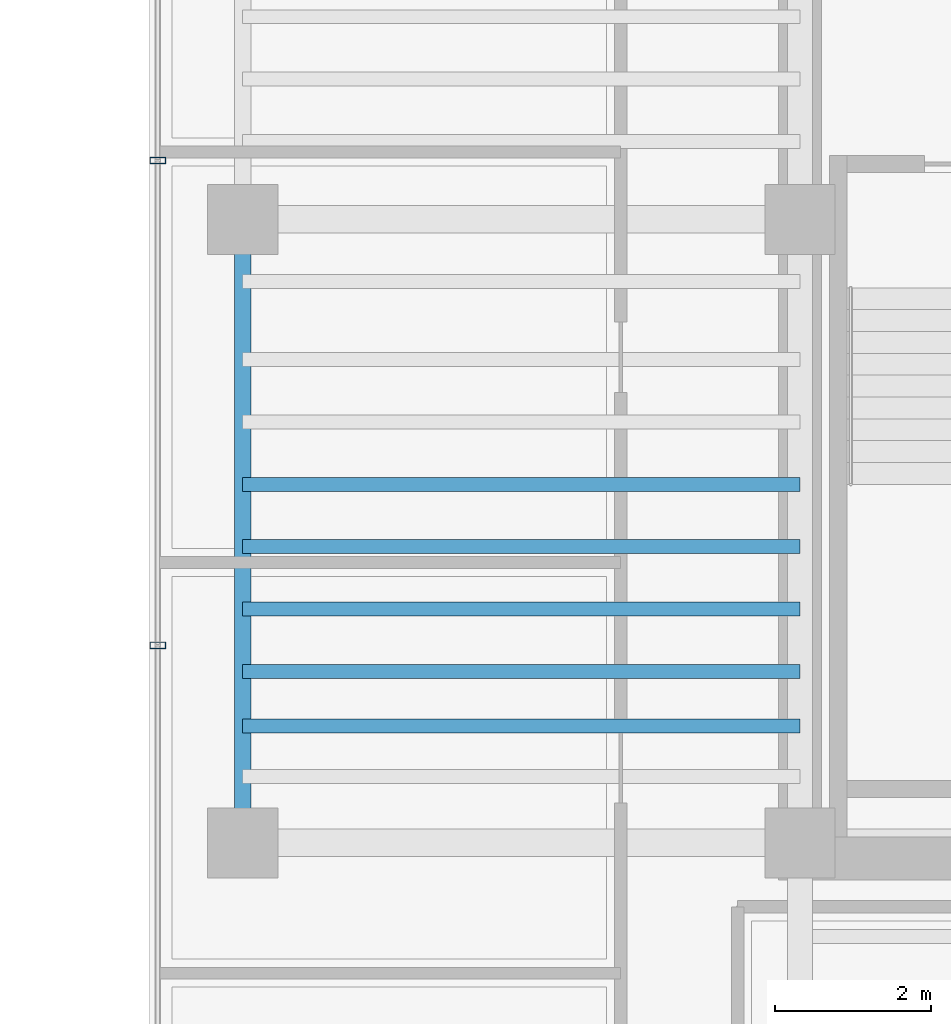
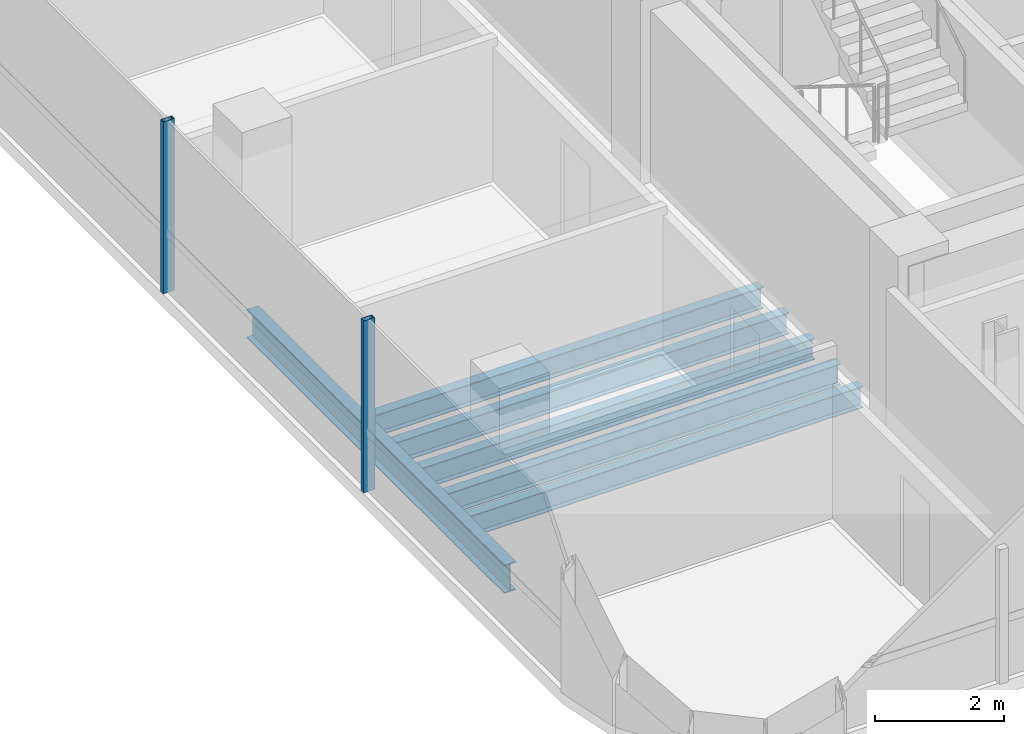
# One storey, part 4 of 21: 6 beams, 2 members, 1 element without a shape of its own.
"""IFC4 building model written with IfcOpenShell, lengths in metres."""

from ifc_helpers import new_model, si_unit, direction, frame, origin, origin_2d, place, context, subcontext, project, spatial, hollow_rectangle, i_section, extrude, source, transform, mapped, material, material_profile, profile_set, type_object, element, aggregate, save


model = new_model("IFC4")

# Units and contexts
model_context = context("Model", 3, precision=1e-05, world=origin(), true_north=direction((0.0, 1.0)))
body_context = subcontext(model_context, "Body", "Model", "MODEL_VIEW")
ifc_project = project(units=[si_unit("LENGTHUNIT", "METRE"), si_unit("AREAUNIT", "SQUARE_METRE"), si_unit("VOLUMEUNIT", "CUBIC_METRE"), si_unit("PLANEANGLEUNIT", "RADIAN"), si_unit("MASSUNIT", "GRAM", prefix="KILO")], contexts=[model_context])

# Site, building, storey
site_placement = place(None, origin())
site = spatial("IfcSite", under=ifc_project, at=site_placement, CompositionType="ELEMENT")
building_placement = place(site_placement, origin())
building = spatial("IfcBuilding", under=site, at=building_placement, Name="Valdorenza Pilgrim Sanctuary Tower", CompositionType="ELEMENT")
storey_placement = place(building_placement, frame((0.0, 0.0, 219.5)))
storey = spatial("IfcBuildingStorey", under=building, at=storey_placement, Name="L56", CompositionType="ELEMENT", Elevation=219.5)

# Beams
ifc_material_1 = material(Name="Steel ASTM A992 Grade 50", Category="steel")
ifc_material_profile_1 = material_profile(ifc_material_1, i_section(OverallWidth=0.2109375, OverallDepth=0.5390625, WebThickness=0.01171875, FlangeThickness=0.018798828125, at=origin_2d()), Name="W21X73")
ifc_profile_set_1 = profile_set([ifc_material_profile_1], Name="Steel ASTM A992 Grade 50")
beam_type_1 = type_object("IfcBeamType", Name="STR-BM-SPN-W21B", PredefinedType="SPANDREL", material=ifc_profile_set_1)
shared_shape_1 = source(origin(), body_context, "Body", "SweptSolid", [
    extrude(i_section(OverallWidth=0.2109375, OverallDepth=0.5390625, WebThickness=0.01171875, FlangeThickness=0.018798828125, at=origin_2d()), origin(), (0.0, 0.0, 1.0), 8.0),
])
beam_placement = place(storey_placement, frame((-29.800048828125, -10.60009765625, -0.509521484375), z_axis=(0.0, 1.0, 0.0), x_axis=(-1.0, 0.0, 0.0)))
element("IfcBeam", 1, at=beam_placement, inside=storey, type_object=beam_type_1, Name="L56 Spandrel Beam WA-W-S1M0", PredefinedType="SPANDREL", context=body_context, shape_type="MappedRepresentation", body=[
    mapped(shared_shape_1, transform((0.0, 0.0, 0.0), x_axis=(1.0, 0.0, 0.0), y_axis=(0.0, 1.0, 0.0), z_axis=(0.0, 0.0, 1.0), scale=1.0)),
])
ifc_material_profile_2 = material_profile(ifc_material_1, i_section(OverallWidth=0.177978515625, OverallDepth=0.406005859375, WebThickness=0.0078125, FlangeThickness=0.0126953125, at=origin_2d()), Name="W16X40")
ifc_profile_set_2 = profile_set([ifc_material_profile_2], Name="Steel ASTM A992 Grade 50")
beam_type_2 = type_object("IfcBeamType", Name="STR-BM-JST-W16", PredefinedType="JOIST", material=ifc_profile_set_2)
shared_shape_2 = source(origin(), body_context, "Body", "SweptSolid", [
    extrude(i_section(OverallWidth=0.177978515625, OverallDepth=0.406005859375, WebThickness=0.0078125, FlangeThickness=0.0126953125, at=origin_2d()), origin(), (0.0, 0.0, 1.0), 7.150146484375),
])
for number, where, z_axis, x_axis, name in (
    (2, (-29.800048828125, -9.10009765625, -0.443115234375), (1.0, 0.0, 0.0), (0.0, 1.0, 0.0), "L56 Composite Floor Joist JST-WA-2"),
    (3, (-29.800048828125, -8.39990234375, -0.443115234375), (1.0, 0.0, 0.0), (0.0, 1.0, 0.0), "L56 Composite Floor Joist JST-WA-3"),
    (4, (-29.800048828125, -7.60009765625, -0.443115234375), (1.0, 0.0, 0.0), (0.0, 1.0, 0.0), "L56 Composite Floor Joist JST-WA-4"),
    (5, (-29.800048828125, -6.800048828125, -0.443115234375), (1.0, 0.0, 0.0), (0.0, 1.0, 0.0), "L56 Composite Floor Joist JST-WA-5"),
    (6, (-29.800048828125, -6.0, -0.443115234375), (1.0, 0.0, 0.0), (0.0, 1.0, 0.0), "L56 Composite Floor Joist JST-WA-6"),
):
    element("IfcBeam", number, at=place(storey_placement, frame(where, z_axis=z_axis, x_axis=x_axis)), inside=storey, type_object=beam_type_2, Name=name, PredefinedType="JOIST", context=body_context, shape_type="MappedRepresentation", body=[
        mapped(shared_shape_2, transform((0.0, 0.0, 0.0), x_axis=(1.0, 0.0, 0.0), y_axis=(0.0, 1.0, 0.0), z_axis=(0.0, 0.0, 1.0), scale=1.0)),
    ])

# Curtain wall, members
ifc_material_2 = material(Name="Curtain-wall IGU glazing", Category="glass")
curtain_wall_type = type_object("IfcCurtainWallType", Name="CW-SYS-02", PredefinedType="NOTDEFINED", material=ifc_material_2)
curtain_wall_placement = place(storey_placement, origin())
curtain_wall = element("IfcCurtainWall", 7, at=curtain_wall_placement, inside=storey, type_object=curtain_wall_type, Name="L56 Curtain Wall CW-L56-1-1S1", PredefinedType="NOTDEFINED")
ifc_material_3 = material(Name="Anodised aluminium AW-6060", Category="aluminium")
ifc_material_profile_3 = material_profile(ifc_material_3, hollow_rectangle(XDim=0.0849609375, YDim=0.199951171875, WallThickness=0.0048828125, at=origin_2d()), Name="ALU-M 200x85x5")
ifc_profile_set_3 = profile_set([ifc_material_profile_3], Name="Anodised aluminium AW-6060")
member_type = type_object("IfcMemberType", Name="CW-MUL-02", PredefinedType="MULLION", material=ifc_profile_set_3)
shared_shape_3 = source(origin(), body_context, "Body", "SweptSolid", [
    extrude(hollow_rectangle(XDim=0.0849609375, YDim=0.199951171875, WallThickness=0.0048828125, at=origin_2d()), origin(), (0.0, 0.0, 1.0), 3.260009765625),
])
member_1_placement = place(storey_placement, frame((-30.889892578125, -8.06689453125, 0.0), z_axis=(0.0, 0.0, 1.0), x_axis=(0.0, 1.0, 0.0)))
member_1 = element("IfcMember", 8, at=member_1_placement, type_object=member_type, Name="CW-L56-1-1S1 Mullion 2", PredefinedType="MULLION", context=body_context, shape_type="MappedRepresentation", body=[
    mapped(shared_shape_3, transform((0.0, 0.0, 0.0), x_axis=(1.0, 0.0, 0.0), y_axis=(0.0, 1.0, 0.0), z_axis=(0.0, 0.0, 1.0), scale=1.0)),
])
member_2_placement = place(storey_placement, frame((-30.889892578125, -1.844482421875, 0.0), z_axis=(0.0, 0.0, 1.0), x_axis=(0.0, 1.0, 0.0)))
member_2 = element("IfcMember", 9, at=member_2_placement, type_object=member_type, Name="CW-L56-1-1S1 Mullion 3", PredefinedType="MULLION", context=body_context, shape_type="MappedRepresentation", body=[
    mapped(shared_shape_3, transform((0.0, 0.0, 0.0), x_axis=(1.0, 0.0, 0.0), y_axis=(0.0, 1.0, 0.0), z_axis=(0.0, 0.0, 1.0), scale=1.0)),
])
aggregate(curtain_wall, [member_1, member_2])

save(model, "model.ifc")
